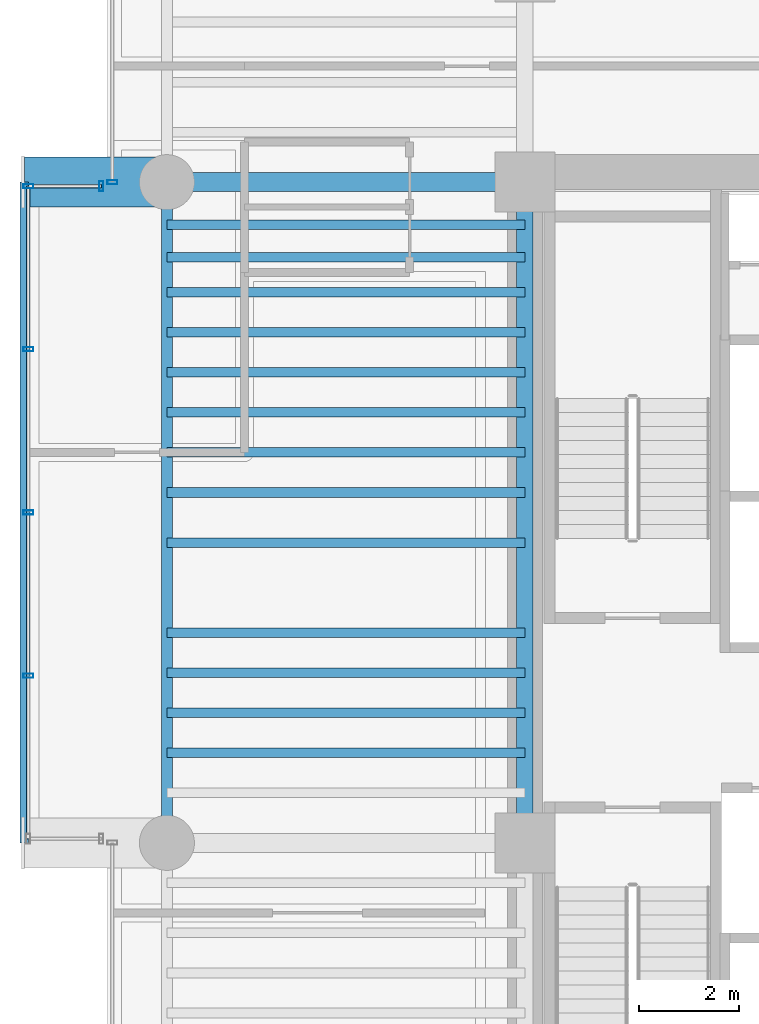
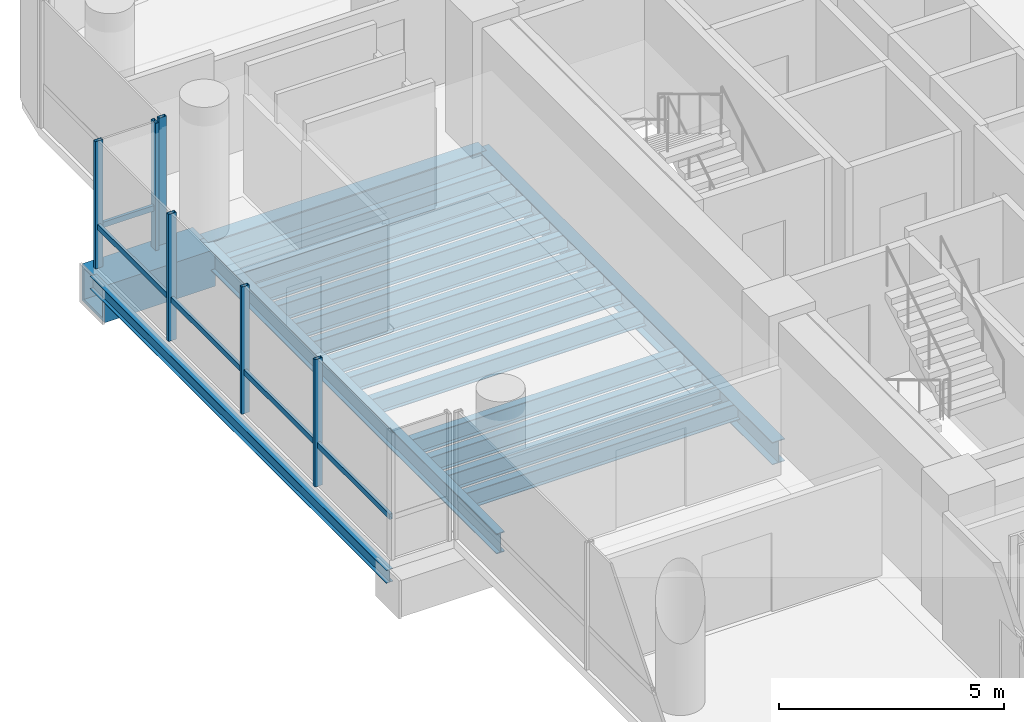
# One storey, part 7 of 34: 18 beams, 8 members, 3 elements without a shape of their own.
"""IFC4 building model written with IfcOpenShell, lengths in metres."""

from ifc_helpers import new_model, si_unit, direction, frame, origin, origin_2d, place, context, subcontext, project, spatial, hollow_rectangle, i_section, extrude, source, transform, mapped, material, material_profile, profile_set, type_object, element, aggregate, save


model = new_model("IFC4")

# Units and contexts
model_context = context("Model", 3, precision=1e-05, world=origin(), true_north=direction((0.0, 1.0)))
body_context = subcontext(model_context, "Body", "Model", "MODEL_VIEW")
ifc_project = project(units=[si_unit("LENGTHUNIT", "METRE"), si_unit("AREAUNIT", "SQUARE_METRE"), si_unit("VOLUMEUNIT", "CUBIC_METRE"), si_unit("PLANEANGLEUNIT", "RADIAN"), si_unit("MASSUNIT", "GRAM", prefix="KILO")], contexts=[model_context])

# Site, building, storey
site_placement = place(None, origin())
site = spatial("IfcSite", under=ifc_project, at=site_placement, CompositionType="ELEMENT")
building_placement = place(site_placement, origin())
building = spatial("IfcBuilding", under=site, at=building_placement, Name="Valdorenza Pilgrim Sanctuary Tower", CompositionType="ELEMENT")
storey_placement = place(building_placement, frame((0.0, 0.0, 142.699951171875)))
storey = spatial("IfcBuildingStorey", under=building, at=storey_placement, Name="L36", CompositionType="ELEMENT", Elevation=142.699951171875)

# Beams
ifc_material_1 = material(Name="Steel ASTM A992 Grade 50", Category="steel")
ifc_material_profile_1 = material_profile(ifc_material_1, i_section(OverallWidth=0.214111328125, OverallDepth=0.549072265625, WebThickness=0.0146484375, FlangeThickness=0.023681640625, at=origin_2d()), Name="W21X93")
ifc_profile_set_1 = profile_set([ifc_material_profile_1], Name="Steel ASTM A992 Grade 50")
beam_type_1 = type_object("IfcBeamType", Name="STR-BM-SPN-W21A", PredefinedType="SPANDREL", material=ifc_profile_set_1)
shared_shape_1 = source(origin(), body_context, "Body", "SweptSolid", [
    extrude(i_section(OverallWidth=0.214111328125, OverallDepth=0.549072265625, WebThickness=0.0146484375, FlangeThickness=0.023681640625, at=origin_2d()), origin(), (0.0, 0.0, 1.0), 13.2001953125),
])
beam_1_placement = place(storey_placement, frame((-29.800048828125, -2.60009765625, -0.514404296875), z_axis=(0.0, 1.0, 0.0), x_axis=(-1.0, 0.0, 0.0)))
element("IfcBeam", 1, at=beam_1_placement, inside=storey, type_object=beam_type_1, Name="L36 Spandrel Beam WA-W-M0N1", PredefinedType="SPANDREL", context=body_context, shape_type="MappedRepresentation", body=[
    mapped(shared_shape_1, transform((0.0, 0.0, 0.0), x_axis=(1.0, 0.0, 0.0), y_axis=(0.0, 1.0, 0.0), z_axis=(0.0, 0.0, 1.0), scale=1.0)),
])
ifc_material_profile_2 = material_profile(ifc_material_1, i_section(OverallWidth=0.323974609375, OverallDepth=0.611083984375, WebThickness=0.0126953125, FlangeThickness=0.01904296875, at=origin_2d()), Name="W24X104")
ifc_profile_set_2 = profile_set([ifc_material_profile_2], Name="Steel ASTM A992 Grade 50")
beam_type_2 = type_object("IfcBeamType", Name="STR-BM-GRD-W24B", PredefinedType="BEAM", material=ifc_profile_set_2)
shared_shape_2 = source(origin(), body_context, "Body", "SweptSolid", [
    extrude(i_section(OverallWidth=0.323974609375, OverallDepth=0.611083984375, WebThickness=0.0126953125, FlangeThickness=0.01904296875, at=origin_2d()), origin(), (0.0, 0.0, 1.0), 13.2001953125),
])
beam_2_placement = place(storey_placement, frame((-22.64990234375, -2.60009765625, -0.54541015625), z_axis=(0.0, 1.0, 0.0), x_axis=(-1.0, 0.0, 0.0)))
element("IfcBeam", 2, at=beam_2_placement, inside=storey, type_object=beam_type_2, Name="L36 Core Tie Girder CA-W-M0N1", PredefinedType="BEAM", context=body_context, shape_type="MappedRepresentation", body=[
    mapped(shared_shape_2, transform((0.0, 0.0, 0.0), x_axis=(1.0, 0.0, 0.0), y_axis=(0.0, 1.0, 0.0), z_axis=(0.0, 0.0, 1.0), scale=1.0)),
])
ifc_material_profile_3 = material_profile(ifc_material_1, i_section(OverallWidth=0.1708984375, OverallDepth=0.35107421875, WebThickness=0.0068359375, FlangeThickness=0.009765625, at=origin_2d()), Name="W14X30")
ifc_profile_set_3 = profile_set([ifc_material_profile_3], Name="Steel ASTM A992 Grade 50")
beam_type_3 = type_object("IfcBeamType", Name="STR-BM-BOX-W14", PredefinedType="BEAM", material=ifc_profile_set_3)
shared_shape_3 = source(origin(), body_context, "Body", "SweptSolid", [
    extrude(i_section(OverallWidth=0.1708984375, OverallDepth=0.35107421875, WebThickness=0.0068359375, FlangeThickness=0.009765625, at=origin_2d()), origin(), (0.0, 0.0, 1.0), 13.2001953125),
])
beam_3_placement = place(storey_placement, frame((-32.64990234375, -2.60009765625, -0.41552734375), z_axis=(0.0, 1.0, 0.0), x_axis=(-1.0, 0.0, 0.0)))
element("IfcBeam", 3, at=beam_3_placement, inside=storey, type_object=beam_type_3, Name="L36 Glass Box Edge Beam BOX-WA-L36-F", PredefinedType="BEAM", context=body_context, shape_type="MappedRepresentation", body=[
    mapped(shared_shape_3, transform((0.0, 0.0, 0.0), x_axis=(1.0, 0.0, 0.0), y_axis=(0.0, 1.0, 0.0), z_axis=(0.0, 0.0, 1.0), scale=1.0)),
])
ifc_material_profile_4 = material_profile(ifc_material_1, i_section(OverallWidth=0.382080078125, OverallDepth=0.779052734375, WebThickness=0.01806640625, FlangeThickness=0.030029296875, at=origin_2d()), Name="W30X191")
ifc_profile_set_4 = profile_set([ifc_material_profile_4], Name="Steel ASTM A992 Grade 50")
beam_type_4 = type_object("IfcBeamType", Name="STR-BM-GRD-W30", PredefinedType="BEAM", material=ifc_profile_set_4)
shared_shape_4 = source(origin(), body_context, "Body", "SweptSolid", [
    extrude(i_section(OverallWidth=0.382080078125, OverallDepth=0.779052734375, WebThickness=0.01806640625, FlangeThickness=0.030029296875, at=origin_2d()), origin(), (0.0, 0.0, 1.0), 7.150146484375),
])
beam_4_placement = place(storey_placement, frame((-29.800048828125, 10.60009765625, -0.62939453125), z_axis=(1.0, 0.0, 0.0), x_axis=(0.0, 1.0, 0.0)))
element("IfcBeam", 4, at=beam_4_placement, inside=storey, type_object=beam_type_4, Name="L36 Floor Girder WA-XW-N1", PredefinedType="BEAM", context=body_context, shape_type="MappedRepresentation", body=[
    mapped(shared_shape_4, transform((0.0, 0.0, 0.0), x_axis=(1.0, 0.0, 0.0), y_axis=(0.0, 1.0, 0.0), z_axis=(0.0, 0.0, 1.0), scale=1.0)),
])
ifc_material_profile_5 = material_profile(ifc_material_1, i_section(OverallWidth=0.19091796875, OverallDepth=0.45703125, WebThickness=0.009033203125, FlangeThickness=0.014404296875, at=origin_2d()), Name="W18X50")
ifc_profile_set_5 = profile_set([ifc_material_profile_5], Name="Steel ASTM A992 Grade 50")
beam_type_5 = type_object("IfcBeamType", Name="STR-BM-JST-W18B", PredefinedType="JOIST", material=ifc_profile_set_5)
shared_shape_5 = source(origin(), body_context, "Body", "SweptSolid", [
    extrude(i_section(OverallWidth=0.19091796875, OverallDepth=0.45703125, WebThickness=0.009033203125, FlangeThickness=0.014404296875, at=origin_2d()), origin(), (0.0, 0.0, 1.0), 7.150146484375),
])
for number, where, z_axis, x_axis, name in (
    (5, (-29.800048828125, -0.800048828125, -0.468505859375), (1.0, 0.0, 0.0), (0.0, 1.0, 0.0), "L36 Composite Floor Joist JST-WA-11"),
    (6, (-29.800048828125, 0.0, -0.468505859375), (1.0, 0.0, 0.0), (0.0, 1.0, 0.0), "L36 Composite Floor Joist JST-WA-12"),
    (7, (-29.800048828125, 0.800048828125, -0.468505859375), (1.0, 0.0, 0.0), (0.0, 1.0, 0.0), "L36 Composite Floor Joist JST-WA-13"),
    (8, (-29.800048828125, 1.60009765625, -0.468505859375), (1.0, 0.0, 0.0), (0.0, 1.0, 0.0), "L36 Composite Floor Joist JST-WA-14"),
    (9, (-29.800048828125, 3.39990234375, -0.468505859375), (1.0, 0.0, 0.0), (0.0, 1.0, 0.0), "L36 Composite Floor Joist JST-WA-15"),
    (10, (-29.800048828125, 4.39990234375, -0.468505859375), (1.0, 0.0, 0.0), (0.0, 1.0, 0.0), "L36 Composite Floor Joist JST-WA-16"),
    (11, (-29.800048828125, 5.199951171875, -0.468505859375), (1.0, 0.0, 0.0), (0.0, 1.0, 0.0), "L36 Composite Floor Joist JST-WA-17"),
    (12, (-29.800048828125, 6.0, -0.468505859375), (1.0, 0.0, 0.0), (0.0, 1.0, 0.0), "L36 Composite Floor Joist JST-WA-18"),
    (13, (-29.800048828125, 6.800048828125, -0.468505859375), (1.0, 0.0, 0.0), (0.0, 1.0, 0.0), "L36 Composite Floor Joist JST-WA-19"),
    (14, (-29.800048828125, 7.60009765625, -0.468505859375), (1.0, 0.0, 0.0), (0.0, 1.0, 0.0), "L36 Composite Floor Joist JST-WA-20"),
    (15, (-29.800048828125, 8.39990234375, -0.468505859375), (1.0, 0.0, 0.0), (0.0, 1.0, 0.0), "L36 Composite Floor Joist JST-WA-21"),
    (16, (-29.800048828125, 9.10009765625, -0.468505859375), (1.0, 0.0, 0.0), (0.0, 1.0, 0.0), "L36 Composite Floor Joist JST-WA-22"),
    (17, (-29.800048828125, 9.75, -0.468505859375), (1.0, 0.0, 0.0), (0.0, 1.0, 0.0), "L36 Composite Floor Joist JST-WA-23"),
):
    element("IfcBeam", number, at=place(storey_placement, frame(where, z_axis=z_axis, x_axis=x_axis)), inside=storey, type_object=beam_type_5, Name=name, PredefinedType="JOIST", context=body_context, shape_type="MappedRepresentation", body=[
        mapped(shared_shape_5, transform((0.0, 0.0, 0.0), x_axis=(1.0, 0.0, 0.0), y_axis=(0.0, 1.0, 0.0), z_axis=(0.0, 0.0, 1.0), scale=1.0)),
    ])
ifc_material_2 = material(Name="Steel ASTM A572 Grade 42", Category="steel")
ifc_material_profile_6 = material_profile(ifc_material_2, hollow_rectangle(XDim=1.0, YDim=1.0, WallThickness=0.080078125, at=origin_2d()), Name="BOX 1000x1000x80")
ifc_profile_set_6 = profile_set([ifc_material_profile_6], Name="Steel ASTM A572 Grade 42")
beam_type_6 = type_object("IfcBeamType", Name="STR-BM-PROW-CANT", PredefinedType="BEAM", material=ifc_profile_set_6)
shared_shape_6 = source(origin(), body_context, "Body", "SweptSolid", [
    extrude(hollow_rectangle(XDim=1.0, YDim=1.0, WallThickness=0.080078125, at=origin_2d()), origin(), (0.0, 0.0, 1.0), 2.849853515625),
])
beam_5_placement = place(storey_placement, frame((-29.800048828125, 10.60009765625, -0.739990234375), z_axis=(-1.0, 0.0, 0.0), x_axis=(0.0, -1.0, 0.0)))
element("IfcBeam", 18, at=beam_5_placement, inside=storey, type_object=beam_type_6, Name="L36 Glass Box Cantilever Beam BOX-WA-L36-CT-N", PredefinedType="BEAM", context=body_context, shape_type="MappedRepresentation", body=[
    mapped(shared_shape_6, transform((0.0, 0.0, 0.0), x_axis=(1.0, 0.0, 0.0), y_axis=(0.0, 1.0, 0.0), z_axis=(0.0, 0.0, 1.0), scale=1.0)),
])

# Curtain wall, member
ifc_material_3 = material(Name="Curtain-wall IGU glazing", Category="glass")
curtain_wall_type = type_object("IfcCurtainWallType", Name="CW-SYS-02", PredefinedType="NOTDEFINED", material=ifc_material_3)
curtain_wall_1_placement = place(storey_placement, origin())
curtain_wall_1 = element("IfcCurtainWall", 19, at=curtain_wall_1_placement, inside=storey, type_object=curtain_wall_type, Name="L36 Curtain Wall CW-L36-1-1S2", PredefinedType="NOTDEFINED")
ifc_material_4 = material(Name="Anodised aluminium AW-6060", Category="aluminium")
ifc_material_profile_7 = material_profile(ifc_material_4, hollow_rectangle(XDim=0.0849609375, YDim=0.199951171875, WallThickness=0.0048828125, at=origin_2d()), Name="ALU-M 200x85x5")
ifc_profile_set_7 = profile_set([ifc_material_profile_7], Name="Anodised aluminium AW-6060")
member_type_1 = type_object("IfcMemberType", Name="CW-MUL-02", PredefinedType="MULLION", material=ifc_profile_set_7)
shared_shape_7 = source(origin(), body_context, "Body", "SweptSolid", [
    extrude(hollow_rectangle(XDim=0.0849609375, YDim=0.199951171875, WallThickness=0.0048828125, at=origin_2d()), origin(), (0.0, 0.0, 1.0), 3.4599609375),
])
member_1_placement = place(storey_placement, frame((-30.889892578125, 10.60009765625, 0.0), z_axis=(0.0, 0.0, 1.0), x_axis=(0.0, 1.0, 0.0)))
member_1 = element("IfcMember", 20, at=member_1_placement, type_object=member_type_1, Name="CW-L36-1-1S2 Mullion 1", PredefinedType="MULLION", context=body_context, shape_type="MappedRepresentation", body=[
    mapped(shared_shape_7, transform((0.0, 0.0, 0.0), x_axis=(1.0, 0.0, 0.0), y_axis=(0.0, 1.0, 0.0), z_axis=(0.0, 0.0, 1.0), scale=1.0)),
])
aggregate(curtain_wall_1, [member_1])

# Curtain wall, members
curtain_wall_2_placement = place(storey_placement, origin())
curtain_wall_2 = element("IfcCurtainWall", 21, at=curtain_wall_2_placement, inside=storey, type_object=curtain_wall_type, Name="L36 Curtain Wall CW-L36-BOX-WA-L36-F", PredefinedType="NOTDEFINED")
member_2_placement = place(storey_placement, frame((-32.570068359375, 0.739990234375, 0.0), z_axis=(0.0, 0.0, 1.0), x_axis=(0.0, 1.0, 0.0)))
member_2 = element("IfcMember", 22, at=member_2_placement, type_object=member_type_1, Name="CW-L36-BOX-WA-L36-F Mullion 2", PredefinedType="MULLION", context=body_context, shape_type="MappedRepresentation", body=[
    mapped(shared_shape_7, transform((0.0, 0.0, 0.0), x_axis=(1.0, 0.0, 0.0), y_axis=(0.0, 1.0, 0.0), z_axis=(0.0, 0.0, 1.0), scale=1.0)),
])
member_3_placement = place(storey_placement, frame((-32.570068359375, 4.0, 0.0), z_axis=(0.0, 0.0, 1.0), x_axis=(0.0, 1.0, 0.0)))
member_3 = element("IfcMember", 23, at=member_3_placement, type_object=member_type_1, Name="CW-L36-BOX-WA-L36-F Mullion 3", PredefinedType="MULLION", context=body_context, shape_type="MappedRepresentation", body=[
    mapped(shared_shape_7, transform((0.0, 0.0, 0.0), x_axis=(1.0, 0.0, 0.0), y_axis=(0.0, 1.0, 0.0), z_axis=(0.0, 0.0, 1.0), scale=1.0)),
])
member_4_placement = place(storey_placement, frame((-32.570068359375, 7.260009765625, 0.0), z_axis=(0.0, 0.0, 1.0), x_axis=(0.0, 1.0, 0.0)))
member_4 = element("IfcMember", 24, at=member_4_placement, type_object=member_type_1, Name="CW-L36-BOX-WA-L36-F Mullion 4", PredefinedType="MULLION", context=body_context, shape_type="MappedRepresentation", body=[
    mapped(shared_shape_7, transform((0.0, 0.0, 0.0), x_axis=(1.0, 0.0, 0.0), y_axis=(0.0, 1.0, 0.0), z_axis=(0.0, 0.0, 1.0), scale=1.0)),
])
member_5_placement = place(storey_placement, frame((-32.570068359375, 10.52001953125, 0.0), z_axis=(0.0, 0.0, 1.0), x_axis=(0.0, 1.0, 0.0)))
member_5 = element("IfcMember", 25, at=member_5_placement, type_object=member_type_1, Name="CW-L36-BOX-WA-L36-F Mullion 5", PredefinedType="MULLION", context=body_context, shape_type="MappedRepresentation", body=[
    mapped(shared_shape_7, transform((0.0, 0.0, 0.0), x_axis=(1.0, 0.0, 0.0), y_axis=(0.0, 1.0, 0.0), z_axis=(0.0, 0.0, 1.0), scale=1.0)),
])

curtain_wall_3_placement = place(storey_placement, origin())
curtain_wall_3 = element("IfcCurtainWall", 26, at=curtain_wall_3_placement, inside=storey, type_object=curtain_wall_type, Name="L36 Curtain Wall CW-L36-BOX-WA-L36-N", PredefinedType="NOTDEFINED")
member_6_placement = place(storey_placement, frame((-31.110107421875, 10.52001953125, 0.0), z_axis=(0.0, 0.0, 1.0), x_axis=(1.0, 0.0, 0.0)))
member_6 = element("IfcMember", 27, at=member_6_placement, type_object=member_type_1, Name="CW-L36-BOX-WA-L36-N Mullion 2", PredefinedType="MULLION", context=body_context, shape_type="MappedRepresentation", body=[
    mapped(shared_shape_7, transform((0.0, 0.0, 0.0), x_axis=(1.0, 0.0, 0.0), y_axis=(0.0, 1.0, 0.0), z_axis=(0.0, 0.0, 1.0), scale=1.0)),
])
ifc_material_profile_8 = material_profile(ifc_material_4, hollow_rectangle(XDim=0.074951171875, YDim=0.14990234375, WallThickness=0.00390625, at=origin_2d()), Name="ALU-T 150x75x4")
ifc_profile_set_8 = profile_set([ifc_material_profile_8], Name="Anodised aluminium AW-6060")
member_type_2 = type_object("IfcMemberType", Name="CW-TRN-02", PredefinedType="USERDEFINED", material=ifc_profile_set_8)
shared_shape_8 = source(origin(), body_context, "Body", "SweptSolid", [
    extrude(hollow_rectangle(XDim=0.074951171875, YDim=0.14990234375, WallThickness=0.00390625, at=origin_2d()), origin(), (0.0, 0.0, 1.0), 1.4599609375),
])
member_7_placement = place(storey_placement, frame((-32.570068359375, 10.52001953125, 1.1201171875), z_axis=(1.0, 0.0, 0.0), x_axis=(0.0, 1.0, 0.0)))
member_7 = element("IfcMember", 28, at=member_7_placement, type_object=member_type_2, Name="CW-L36-BOX-WA-L36-N Transom 1", ObjectType="TRANSOM", PredefinedType="USERDEFINED", context=body_context, shape_type="MappedRepresentation", body=[
    mapped(shared_shape_8, transform((0.0, 0.0, 0.0), x_axis=(1.0, 0.0, 0.0), y_axis=(0.0, 1.0, 0.0), z_axis=(0.0, 0.0, 1.0), scale=1.0)),
])
aggregate(curtain_wall_3, [member_6, member_7])

# Member
shared_shape_9 = source(origin(), body_context, "Body", "SweptSolid", [
    extrude(hollow_rectangle(XDim=0.074951171875, YDim=0.14990234375, WallThickness=0.00390625, at=origin_2d()), origin(), (0.0, 0.0, 1.0), 13.0400390625),
])
member_8_placement = place(storey_placement, frame((-32.570068359375, -2.52001953125, 1.1201171875), z_axis=(0.0, 1.0, 0.0), x_axis=(-1.0, 0.0, 0.0)))
member_8 = element("IfcMember", 29, at=member_8_placement, type_object=member_type_2, Name="CW-L36-BOX-WA-L36-F Transom 1", ObjectType="TRANSOM", PredefinedType="USERDEFINED", context=body_context, shape_type="MappedRepresentation", body=[
    mapped(shared_shape_9, transform((0.0, 0.0, 0.0), x_axis=(1.0, 0.0, 0.0), y_axis=(0.0, 1.0, 0.0), z_axis=(0.0, 0.0, 1.0), scale=1.0)),
])

aggregate(curtain_wall_2, [member_2, member_3, member_4, member_5, member_8])

save(model, "model.ifc")
